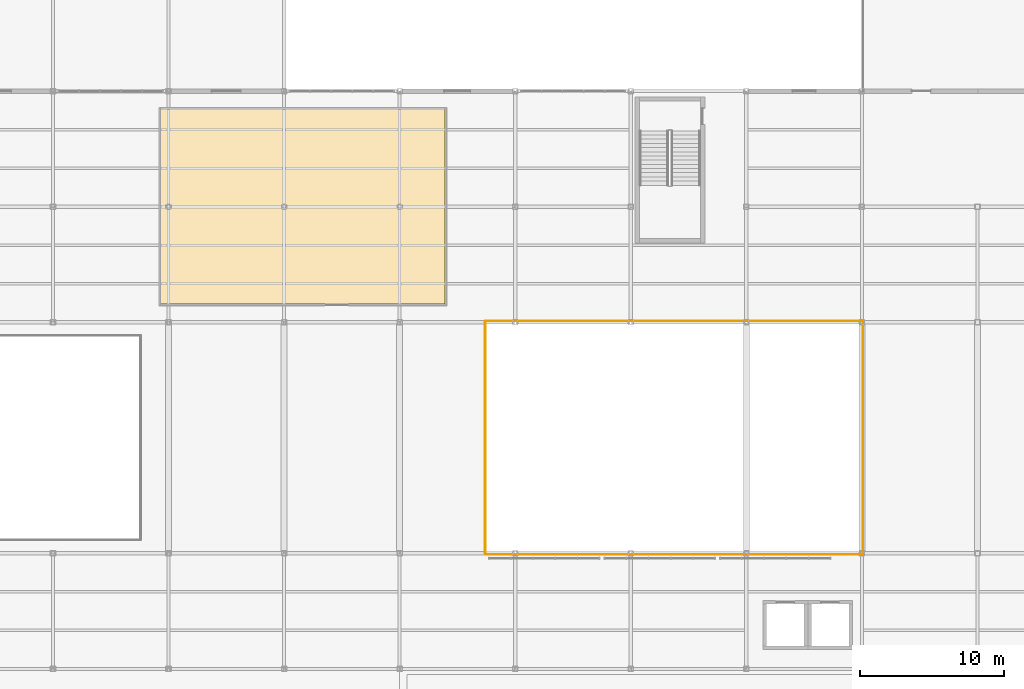
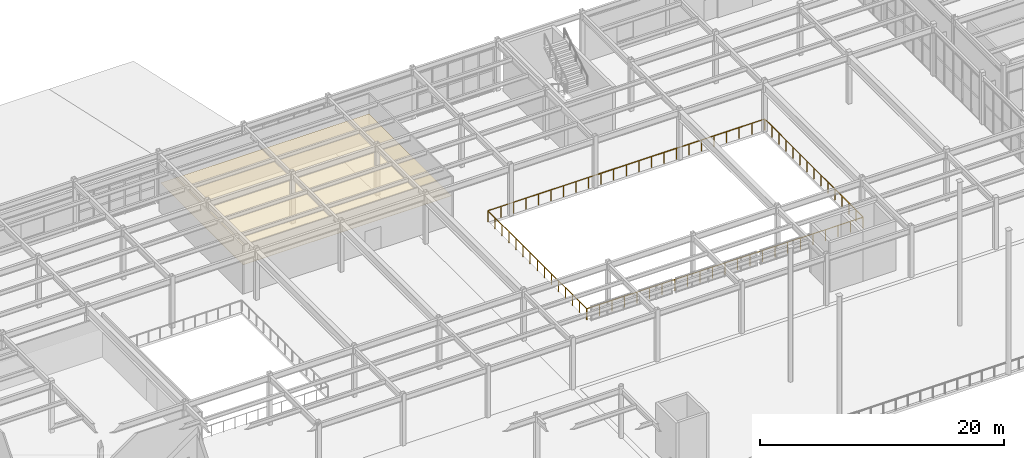
# One storey, part 73 of 77: 4 railings, 1 covering.
"""IFC4 building model written with IfcOpenShell, lengths in metres."""

from ifc_helpers import new_model, si_unit, direction, frame, origin, origin_2d, place, context, subcontext, project, spatial, polyline, circle, outline, extrude, material, layer, layer_set, type_object, element, save


model = new_model("IFC4")

# Units and contexts
model_context = context("Model", 3, precision=1e-05, world=origin(), true_north=direction((0.0, 1.0)))
body_context = subcontext(model_context, "Body", "Model", "MODEL_VIEW")
ifc_project = project(units=[si_unit("LENGTHUNIT", "METRE"), si_unit("AREAUNIT", "SQUARE_METRE"), si_unit("VOLUMEUNIT", "CUBIC_METRE"), si_unit("PLANEANGLEUNIT", "RADIAN"), si_unit("MASSUNIT", "GRAM", prefix="KILO")], contexts=[model_context])

# Site, building, storey
site_placement = place(None, origin())
site = spatial("IfcSite", under=ifc_project, at=site_placement, CompositionType="ELEMENT")
building_placement = place(site_placement, origin())
building = spatial("IfcBuilding", under=site, at=building_placement, Name="Drelvath Fold Interchange", CompositionType="ELEMENT")
storey_placement = place(building_placement, frame((0.0, 0.0, 6.0)))
storey = spatial("IfcBuildingStorey", under=building, at=storey_placement, Name="L01", CompositionType="ELEMENT", Elevation=6.0)

# Covering
ifc_material_1 = material(Name="Perforated Aluminium Acoustic Ceiling", Category="aluminium")
ifc_layer = layer(ifc_material_1, 0.01806640625, Name="Perforated Aluminium Acoustic Ceiling")
ifc_layer_set = layer_set([ifc_layer], Name="Perforated Aluminium Acoustic Ceiling")
covering_type = type_object("IfcCoveringType", Name="CV-CEIL-AL18", PredefinedType="CEILING", material=ifc_layer_set)
covering_placement = place(storey_placement, frame((0.0, 0.0, 2.830078125)))
element("IfcCovering", 1, at=covering_placement, inside=storey, type_object=covering_type, Name="Intercity Quiet Reading Lounge acoustic ceiling", PredefinedType="CEILING", context=body_context, shape_type="SweptSolid", body=[
    extrude(outline(polyline([(35.447021484375, 84.248046875), (55.153076171875, 84.248046875), (55.153076171875, 97.751953125), (35.447021484375, 97.751953125), (35.447021484375, 84.248046875)])), origin(), (0.0, 0.0, 1.0), 0.02001953125),
])

# Railings
ifc_material_2 = material(Name="Stainless Steel 316L", Category="steel")
railing_type = type_object("IfcRailingType", Name="RL-BAL1120", PredefinedType="BALUSTRADE", material=ifc_material_2)
railing_1_placement = place(storey_placement, frame((57.949951171875, 66.919921875, 0.0)))
element("IfcRailing", 2, at=railing_1_placement, inside=storey, type_object=railing_type, Name="L01 atrium overlook balustrade 6 (S)", PredefinedType="BALUSTRADE", context=body_context, shape_type="SweptSolid", body=[
    extrude(circle(Radius=0.02392578125, at=origin_2d()), frame((0.0, 0.0, 1.09619140625), z_axis=(1.0, 0.0, 0.0), x_axis=(0.0, 1.0, 0.0)), (0.0, 0.0, 1.0), 26.10009765625),
    extrude(circle(Radius=0.02099609375, at=origin_2d()), origin(), (0.0, 0.0, 1.0), 1.072021484375),
    extrude(circle(Radius=0.02099609375, at=origin_2d()), frame((1.186279296875, 0.0, 0.0)), (0.0, 0.0, 1.0), 1.072021484375),
    extrude(circle(Radius=0.02099609375, at=origin_2d()), frame((2.372802734375, 0.0, 0.0)), (0.0, 0.0, 1.0), 1.072021484375),
    extrude(circle(Radius=0.02099609375, at=origin_2d()), frame((3.55908203125, 0.0, 0.0)), (0.0, 0.0, 1.0), 1.072021484375),
    extrude(circle(Radius=0.02099609375, at=origin_2d()), frame((4.745361328125, 0.0, 0.0)), (0.0, 0.0, 1.0), 1.072021484375),
    extrude(circle(Radius=0.02099609375, at=origin_2d()), frame((5.931884765625, 0.0, 0.0)), (0.0, 0.0, 1.0), 1.072021484375),
    extrude(circle(Radius=0.02099609375, at=origin_2d()), frame((7.1181640625, 0.0, 0.0)), (0.0, 0.0, 1.0), 1.072021484375),
    extrude(circle(Radius=0.02099609375, at=origin_2d()), frame((8.3046875, 0.0, 0.0)), (0.0, 0.0, 1.0), 1.072021484375),
    extrude(circle(Radius=0.02099609375, at=origin_2d()), frame((9.490966796875, 0.0, 0.0)), (0.0, 0.0, 1.0), 1.072021484375),
    extrude(circle(Radius=0.02099609375, at=origin_2d()), frame((10.67724609375, 0.0, 0.0)), (0.0, 0.0, 1.0), 1.072021484375),
    extrude(circle(Radius=0.02099609375, at=origin_2d()), frame((11.86376953125, 0.0, 0.0)), (0.0, 0.0, 1.0), 1.072021484375),
    extrude(circle(Radius=0.02099609375, at=origin_2d()), frame((13.050048828125, 0.0, 0.0)), (0.0, 0.0, 1.0), 1.072021484375),
    extrude(circle(Radius=0.02099609375, at=origin_2d()), frame((14.236328125, 0.0, 0.0)), (0.0, 0.0, 1.0), 1.072021484375),
    extrude(circle(Radius=0.02099609375, at=origin_2d()), frame((15.4228515625, 0.0, 0.0)), (0.0, 0.0, 1.0), 1.072021484375),
    extrude(circle(Radius=0.02099609375, at=origin_2d()), frame((16.609130859375, 0.0, 0.0)), (0.0, 0.0, 1.0), 1.072021484375),
    extrude(circle(Radius=0.02099609375, at=origin_2d()), frame((17.79541015625, 0.0, 0.0)), (0.0, 0.0, 1.0), 1.072021484375),
    extrude(circle(Radius=0.02099609375, at=origin_2d()), frame((18.98193359375, 0.0, 0.0)), (0.0, 0.0, 1.0), 1.072021484375),
    extrude(circle(Radius=0.02099609375, at=origin_2d()), frame((20.168212890625, 0.0, 0.0)), (0.0, 0.0, 1.0), 1.072021484375),
    extrude(circle(Radius=0.02099609375, at=origin_2d()), frame((21.354736328125, 0.0, 0.0)), (0.0, 0.0, 1.0), 1.072021484375),
    extrude(circle(Radius=0.02099609375, at=origin_2d()), frame((22.541015625, 0.0, 0.0)), (0.0, 0.0, 1.0), 1.072021484375),
    extrude(circle(Radius=0.02099609375, at=origin_2d()), frame((23.727294921875, 0.0, 0.0)), (0.0, 0.0, 1.0), 1.072021484375),
    extrude(circle(Radius=0.02099609375, at=origin_2d()), frame((24.913818359375, 0.0, 0.0)), (0.0, 0.0, 1.0), 1.072021484375),
    extrude(circle(Radius=0.02099609375, at=origin_2d()), frame((26.10009765625, 0.0, 0.0)), (0.0, 0.0, 1.0), 1.072021484375),
])
railing_2_placement = place(storey_placement, frame((84.080078125, 66.949951171875, 0.0)))
element("IfcRailing", 3, at=railing_2_placement, inside=storey, type_object=railing_type, Name="L01 atrium overlook balustrade 6 (E)", PredefinedType="BALUSTRADE", context=body_context, shape_type="SweptSolid", body=[
    extrude(circle(Radius=0.02392578125, at=origin_2d()), frame((0.0, 0.0, 1.09619140625), z_axis=(0.0, 1.0, 0.0), x_axis=(-1.0, 0.0, 0.0)), (0.0, 0.0, 1.0), 16.10009765625),
    extrude(circle(Radius=0.02099609375, at=origin_2d()), origin(), (0.0, 0.0, 1.0), 1.072021484375),
    extrude(circle(Radius=0.02099609375, at=origin_2d()), frame((0.0, 1.14990234375, 0.0)), (0.0, 0.0, 1.0), 1.072021484375),
    extrude(circle(Radius=0.02099609375, at=origin_2d()), frame((0.0, 2.300048828125, 0.0)), (0.0, 0.0, 1.0), 1.072021484375),
    extrude(circle(Radius=0.02099609375, at=origin_2d()), frame((0.0, 3.449951171875, 0.0)), (0.0, 0.0, 1.0), 1.072021484375),
    extrude(circle(Radius=0.02099609375, at=origin_2d()), frame((0.0, 4.60009765625, 0.0)), (0.0, 0.0, 1.0), 1.072021484375),
    extrude(circle(Radius=0.02099609375, at=origin_2d()), frame((0.0, 5.75, 0.0)), (0.0, 0.0, 1.0), 1.072021484375),
    extrude(circle(Radius=0.02099609375, at=origin_2d()), frame((0.0, 6.900146484375, 0.0)), (0.0, 0.0, 1.0), 1.072021484375),
    extrude(circle(Radius=0.02099609375, at=origin_2d()), frame((0.0, 8.050048828125, 0.0)), (0.0, 0.0, 1.0), 1.072021484375),
    extrude(circle(Radius=0.02099609375, at=origin_2d()), frame((0.0, 9.199951171875, 0.0)), (0.0, 0.0, 1.0), 1.072021484375),
    extrude(circle(Radius=0.02099609375, at=origin_2d()), frame((0.0, 10.35009765625, 0.0)), (0.0, 0.0, 1.0), 1.072021484375),
    extrude(circle(Radius=0.02099609375, at=origin_2d()), frame((0.0, 11.5, 0.0)), (0.0, 0.0, 1.0), 1.072021484375),
    extrude(circle(Radius=0.02099609375, at=origin_2d()), frame((0.0, 12.650146484375, 0.0)), (0.0, 0.0, 1.0), 1.072021484375),
    extrude(circle(Radius=0.02099609375, at=origin_2d()), frame((0.0, 13.800048828125, 0.0)), (0.0, 0.0, 1.0), 1.072021484375),
    extrude(circle(Radius=0.02099609375, at=origin_2d()), frame((0.0, 14.9501953125, 0.0)), (0.0, 0.0, 1.0), 1.072021484375),
    extrude(circle(Radius=0.02099609375, at=origin_2d()), frame((0.0, 16.10009765625, 0.0)), (0.0, 0.0, 1.0), 1.072021484375),
])
railing_3_placement = place(storey_placement, frame((84.050048828125, 83.080078125, 0.0)))
element("IfcRailing", 4, at=railing_3_placement, inside=storey, type_object=railing_type, Name="L01 atrium overlook balustrade 6 (N)", PredefinedType="BALUSTRADE", context=body_context, shape_type="SweptSolid", body=[
    extrude(circle(Radius=0.02392578125, at=origin_2d()), frame((0.0, 0.0, 1.09619140625), z_axis=(-1.0, 0.0, 0.0), x_axis=(0.0, -1.0, 0.0)), (0.0, 0.0, 1.0), 26.10009765625),
    extrude(circle(Radius=0.02099609375, at=origin_2d()), origin(), (0.0, 0.0, 1.0), 1.072021484375),
    extrude(circle(Radius=0.02099609375, at=origin_2d()), frame((-1.186279296875, 0.0, 0.0)), (0.0, 0.0, 1.0), 1.072021484375),
    extrude(circle(Radius=0.02099609375, at=origin_2d()), frame((-2.372802734375, 0.0, 0.0)), (0.0, 0.0, 1.0), 1.072021484375),
    extrude(circle(Radius=0.02099609375, at=origin_2d()), frame((-3.55908203125, 0.0, 0.0)), (0.0, 0.0, 1.0), 1.072021484375),
    extrude(circle(Radius=0.02099609375, at=origin_2d()), frame((-4.745361328125, 0.0, 0.0)), (0.0, 0.0, 1.0), 1.072021484375),
    extrude(circle(Radius=0.02099609375, at=origin_2d()), frame((-5.931884765625, 0.0, 0.0)), (0.0, 0.0, 1.0), 1.072021484375),
    extrude(circle(Radius=0.02099609375, at=origin_2d()), frame((-7.1181640625, 0.0, 0.0)), (0.0, 0.0, 1.0), 1.072021484375),
    extrude(circle(Radius=0.02099609375, at=origin_2d()), frame((-8.3046875, 0.0, 0.0)), (0.0, 0.0, 1.0), 1.072021484375),
    extrude(circle(Radius=0.02099609375, at=origin_2d()), frame((-9.490966796875, 0.0, 0.0)), (0.0, 0.0, 1.0), 1.072021484375),
    extrude(circle(Radius=0.02099609375, at=origin_2d()), frame((-10.67724609375, 0.0, 0.0)), (0.0, 0.0, 1.0), 1.072021484375),
    extrude(circle(Radius=0.02099609375, at=origin_2d()), frame((-11.86376953125, 0.0, 0.0)), (0.0, 0.0, 1.0), 1.072021484375),
    extrude(circle(Radius=0.02099609375, at=origin_2d()), frame((-13.050048828125, 0.0, 0.0)), (0.0, 0.0, 1.0), 1.072021484375),
    extrude(circle(Radius=0.02099609375, at=origin_2d()), frame((-14.236328125, 0.0, 0.0)), (0.0, 0.0, 1.0), 1.072021484375),
    extrude(circle(Radius=0.02099609375, at=origin_2d()), frame((-15.4228515625, 0.0, 0.0)), (0.0, 0.0, 1.0), 1.072021484375),
    extrude(circle(Radius=0.02099609375, at=origin_2d()), frame((-16.609130859375, 0.0, 0.0)), (0.0, 0.0, 1.0), 1.072021484375),
    extrude(circle(Radius=0.02099609375, at=origin_2d()), frame((-17.79541015625, 0.0, 0.0)), (0.0, 0.0, 1.0), 1.072021484375),
    extrude(circle(Radius=0.02099609375, at=origin_2d()), frame((-18.98193359375, 0.0, 0.0)), (0.0, 0.0, 1.0), 1.072021484375),
    extrude(circle(Radius=0.02099609375, at=origin_2d()), frame((-20.168212890625, 0.0, 0.0)), (0.0, 0.0, 1.0), 1.072021484375),
    extrude(circle(Radius=0.02099609375, at=origin_2d()), frame((-21.354736328125, 0.0, 0.0)), (0.0, 0.0, 1.0), 1.072021484375),
    extrude(circle(Radius=0.02099609375, at=origin_2d()), frame((-22.541015625, 0.0, 0.0)), (0.0, 0.0, 1.0), 1.072021484375),
    extrude(circle(Radius=0.02099609375, at=origin_2d()), frame((-23.727294921875, 0.0, 0.0)), (0.0, 0.0, 1.0), 1.072021484375),
    extrude(circle(Radius=0.02099609375, at=origin_2d()), frame((-24.913818359375, 0.0, 0.0)), (0.0, 0.0, 1.0), 1.072021484375),
    extrude(circle(Radius=0.02099609375, at=origin_2d()), frame((-26.10009765625, 0.0, 0.0)), (0.0, 0.0, 1.0), 1.072021484375),
])
railing_4_placement = place(storey_placement, frame((57.919921875, 83.050048828125, 0.0)))
element("IfcRailing", 5, at=railing_4_placement, inside=storey, type_object=railing_type, Name="L01 atrium overlook balustrade 6 (W)", PredefinedType="BALUSTRADE", context=body_context, shape_type="SweptSolid", body=[
    extrude(circle(Radius=0.02392578125, at=origin_2d()), frame((0.0, 0.0, 1.09619140625), z_axis=(0.0, -1.0, 0.0), x_axis=(1.0, 0.0, 0.0)), (0.0, 0.0, 1.0), 16.10009765625),
    extrude(circle(Radius=0.02099609375, at=origin_2d()), origin(), (0.0, 0.0, 1.0), 1.072021484375),
    extrude(circle(Radius=0.02099609375, at=origin_2d()), frame((0.0, -1.14990234375, 0.0)), (0.0, 0.0, 1.0), 1.072021484375),
    extrude(circle(Radius=0.02099609375, at=origin_2d()), frame((0.0, -2.300048828125, 0.0)), (0.0, 0.0, 1.0), 1.072021484375),
    extrude(circle(Radius=0.02099609375, at=origin_2d()), frame((0.0, -3.449951171875, 0.0)), (0.0, 0.0, 1.0), 1.072021484375),
    extrude(circle(Radius=0.02099609375, at=origin_2d()), frame((0.0, -4.60009765625, 0.0)), (0.0, 0.0, 1.0), 1.072021484375),
    extrude(circle(Radius=0.02099609375, at=origin_2d()), frame((0.0, -5.75, 0.0)), (0.0, 0.0, 1.0), 1.072021484375),
    extrude(circle(Radius=0.02099609375, at=origin_2d()), frame((0.0, -6.900146484375, 0.0)), (0.0, 0.0, 1.0), 1.072021484375),
    extrude(circle(Radius=0.02099609375, at=origin_2d()), frame((0.0, -8.050048828125, 0.0)), (0.0, 0.0, 1.0), 1.072021484375),
    extrude(circle(Radius=0.02099609375, at=origin_2d()), frame((0.0, -9.199951171875, 0.0)), (0.0, 0.0, 1.0), 1.072021484375),
    extrude(circle(Radius=0.02099609375, at=origin_2d()), frame((0.0, -10.35009765625, 0.0)), (0.0, 0.0, 1.0), 1.072021484375),
    extrude(circle(Radius=0.02099609375, at=origin_2d()), frame((0.0, -11.5, 0.0)), (0.0, 0.0, 1.0), 1.072021484375),
    extrude(circle(Radius=0.02099609375, at=origin_2d()), frame((0.0, -12.650146484375, 0.0)), (0.0, 0.0, 1.0), 1.072021484375),
    extrude(circle(Radius=0.02099609375, at=origin_2d()), frame((0.0, -13.800048828125, 0.0)), (0.0, 0.0, 1.0), 1.072021484375),
    extrude(circle(Radius=0.02099609375, at=origin_2d()), frame((0.0, -14.9501953125, 0.0)), (0.0, 0.0, 1.0), 1.072021484375),
    extrude(circle(Radius=0.02099609375, at=origin_2d()), frame((0.0, -16.10009765625, 0.0)), (0.0, 0.0, 1.0), 1.072021484375),
])

save(model, "model.ifc")
